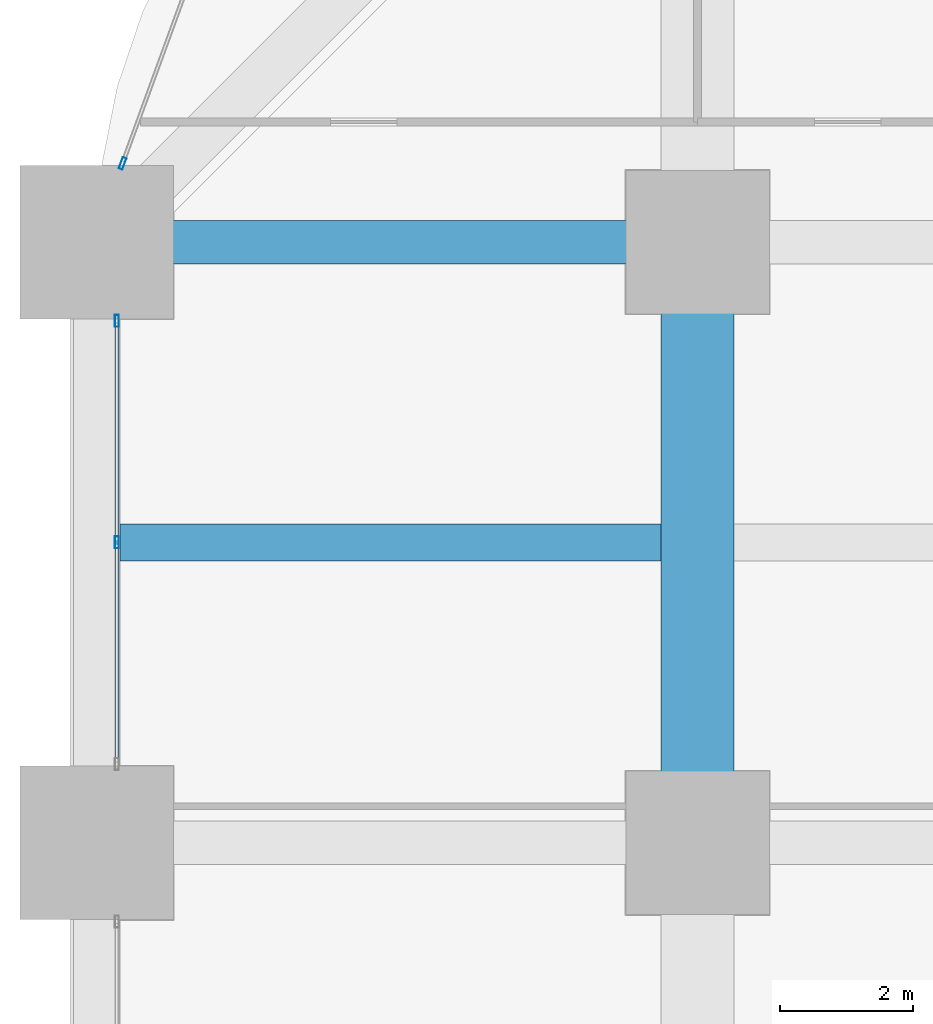
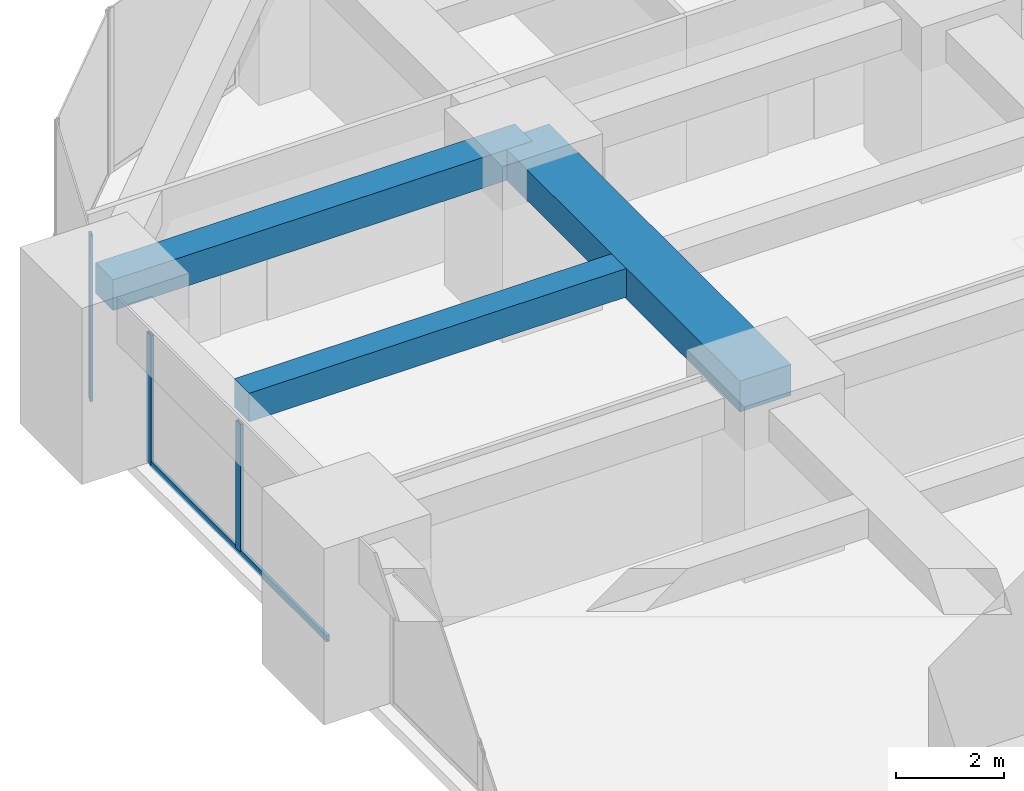
# One storey, part 25 of 44: 4 members, 3 beams, 2 elements without a shape of their own.
"""IFC4 building model written with IfcOpenShell, lengths in metres."""

from ifc_helpers import new_model, si_unit, direction, frame, origin, origin_2d, place, context, subcontext, project, spatial, rectangle, hollow_rectangle, extrude, material, material_profile, profile_set, type_object, element, aggregate, save


model = new_model("IFC4")

# Units and contexts
model_context = context("Model", 3, precision=1e-05, world=origin(), true_north=direction((0.0, 1.0)))
body_context = subcontext(model_context, "Body", "Model", "MODEL_VIEW")
ifc_project = project(units=[si_unit("LENGTHUNIT", "METRE"), si_unit("AREAUNIT", "SQUARE_METRE"), si_unit("VOLUMEUNIT", "CUBIC_METRE"), si_unit("PLANEANGLEUNIT", "RADIAN"), si_unit("MASSUNIT", "GRAM", prefix="KILO")], contexts=[model_context])

# Site, building, storey
site_placement = place(None, origin())
site = spatial("IfcSite", under=ifc_project, at=site_placement, CompositionType="ELEMENT")
building_placement = place(site_placement, origin())
building = spatial("IfcBuilding", under=site, at=building_placement, Name="Zorevar Civic Tower", CompositionType="ELEMENT")
storey_placement = place(building_placement, frame((0.0, 0.0, 59.800048828125)))
storey = spatial("IfcBuildingStorey", under=building, at=storey_placement, Name="L14", CompositionType="ELEMENT", Elevation=59.800048828125)

# Beams
ifc_material_1 = material(Name="Concrete C50/60", Category="concrete")
ifc_material_profile_1 = material_profile(ifc_material_1, rectangle(XDim=1.10009765625, YDim=0.699951171875, at=origin_2d()), Name="RC 1100x700")
ifc_profile_set_1 = profile_set([ifc_material_profile_1], Name="Concrete C50/60")
beam_type_1 = type_object("IfcBeamType", Name="Beam RC 1100x700", PredefinedType="BEAM", material=ifc_profile_set_1)
beam_1_placement = place(storey_placement, frame((9.0, 36.0, 3.39990234375), z_axis=(0.0, 1.0, 0.0), x_axis=(-1.0, 0.0, 0.0)))
element("IfcBeam", 1, at=beam_1_placement, inside=storey, type_object=beam_type_1, Name="Girder L15", PredefinedType="BEAM", context=body_context, shape_type="SweptSolid", body=[
    extrude(rectangle(XDim=1.10009765625, YDim=0.699951171875, at=origin_2d()), origin(), (0.0, 0.0, 1.0), 9.0),
])
ifc_material_2 = material(Name="Concrete C50/60", Category="concrete")
ifc_material_profile_2 = material_profile(ifc_material_2, rectangle(XDim=0.550048828125, YDim=0.64990234375, at=origin_2d()), Name="RC 550x650")
ifc_profile_set_2 = profile_set([ifc_material_profile_2], Name="Concrete C50/60")
beam_type_2 = type_object("IfcBeamType", Name="Beam RC 550x650", PredefinedType="BEAM", material=ifc_profile_set_2)
beam_2_placement = place(storey_placement, frame((0.35009765625, 40.5, 3.425048828125), z_axis=(1.0, 0.0, 0.0), x_axis=(0.0, 1.0, 0.0)))
element("IfcBeam", 2, at=beam_2_placement, inside=storey, type_object=beam_type_2, Name="Secondary beam L15", PredefinedType="BEAM", context=body_context, shape_type="SweptSolid", body=[
    extrude(rectangle(XDim=0.550048828125, YDim=0.64990234375, at=origin_2d()), origin(), (0.0, 0.0, 1.0), 8.099853515625),
])
ifc_material_3 = material(Name="Concrete C50/60", Category="concrete")
ifc_material_profile_3 = material_profile(ifc_material_3, rectangle(XDim=0.64990234375, YDim=0.699951171875, at=origin_2d()), Name="RC 650x700")
ifc_profile_set_3 = profile_set([ifc_material_profile_3], Name="Concrete C50/60")
beam_type_3 = type_object("IfcBeamType", Name="Beam RC 650x700", PredefinedType="BEAM", material=ifc_profile_set_3)
beam_3_placement = place(storey_placement, frame((0.0, 45.0, 3.39990234375), z_axis=(1.0, 0.0, 0.0), x_axis=(0.0, 1.0, 0.0)))
element("IfcBeam", 3, at=beam_3_placement, inside=storey, type_object=beam_type_3, Name="Girder L15", PredefinedType="BEAM", context=body_context, shape_type="SweptSolid", body=[
    extrude(rectangle(XDim=0.64990234375, YDim=0.699951171875, at=origin_2d()), origin(), (0.0, 0.0, 1.0), 9.0),
])

# Curtain wall, members
ifc_material_4 = material(Name="Dark grey solar-control glass in black aluminium frame", Category="aluminium")
curtain_wall_type = type_object("IfcCurtainWallType", Name="Curtain wall CW2 low zone", PredefinedType="NOTDEFINED", material=ifc_material_4)
curtain_wall_1_placement = place(storey_placement, origin())
curtain_wall_1 = element("IfcCurtainWall", 4, at=curtain_wall_1_placement, inside=storey, type_object=curtain_wall_type, Name="CW2 L14", PredefinedType="NOTDEFINED")
ifc_material_5 = material(Name="Aluminium, black anodised", Category="aluminium")
ifc_material_profile_4 = material_profile(ifc_material_5, hollow_rectangle(XDim=0.06005859375, YDim=0.179931640625, WallThickness=0.00390625, at=origin_2d()), Name="AL 180x60x4")
ifc_profile_set_4 = profile_set([ifc_material_profile_4], Name="Aluminium, black anodised")
member_type_1 = type_object("IfcMemberType", Name="CW2 mullion AL 180x60x4", PredefinedType="MULLION", material=ifc_profile_set_4)
member_1_placement = place(storey_placement, frame((0.300048828125, 40.5, 0.06005859375), z_axis=(0.0, 0.0, 1.0), x_axis=(-1.0, 0.0, 0.0)))
member_1 = element("IfcMember", 5, at=member_1_placement, type_object=member_type_1, Name="CW2 mullion 2", PredefinedType="MULLION", context=body_context, shape_type="SweptSolid", body=[
    extrude(hollow_rectangle(XDim=0.06005859375, YDim=0.179931640625, WallThickness=0.00390625, at=origin_2d()), origin(), (0.0, 0.0, 1.0), 2.889892578125),
])
member_2_placement = place(storey_placement, frame((0.300048828125, 43.820068359375, 0.0), z_axis=(0.0, 0.0, 1.0), x_axis=(-1.0, 0.0, 0.0)))
member_2 = element("IfcMember", 6, at=member_2_placement, type_object=member_type_1, Name="CW2 mullion 3", PredefinedType="MULLION", context=body_context, shape_type="SweptSolid", body=[
    extrude(hollow_rectangle(XDim=0.06005859375, YDim=0.179931640625, WallThickness=0.00390625, at=origin_2d()), origin(), (0.0, 0.0, 1.0), 2.949951171875),
])

# Curtain wall, member
curtain_wall_2_placement = place(storey_placement, origin())
curtain_wall_2 = element("IfcCurtainWall", 7, at=curtain_wall_2_placement, inside=storey, type_object=curtain_wall_type, Name="CW2 L14", PredefinedType="NOTDEFINED")
member_3_placement = place(storey_placement, frame((0.38671875, 46.17822265625, 0.0), z_axis=(0.0, 0.0, 1.0), x_axis=(0.939313345732, -0.343060400701, 0.0)))
member_3 = element("IfcMember", 8, at=member_3_placement, type_object=member_type_1, Name="CW2 mullion 2", PredefinedType="MULLION", context=body_context, shape_type="SweptSolid", body=[
    extrude(hollow_rectangle(XDim=0.06005859375, YDim=0.179931640625, WallThickness=0.00390625, at=origin_2d()), origin(), (0.0, 0.0, 1.0), 3.75),
])
aggregate(curtain_wall_2, [member_3])

# Member
ifc_material_6 = material(Name="Aluminium, black anodised", Category="aluminium")
ifc_material_profile_5 = material_profile(ifc_material_6, hollow_rectangle(XDim=0.06005859375, YDim=0.14990234375, WallThickness=0.00390625, at=origin_2d()), Name="AL 150x60x4")
ifc_profile_set_5 = profile_set([ifc_material_profile_5], Name="Aluminium, black anodised")
member_type_2 = type_object("IfcMemberType", Name="CW2 transom AL 150x60x4", PredefinedType="USERDEFINED", material=ifc_profile_set_5)
member_4_placement = place(storey_placement, frame((0.300048828125, 37.2099609375, 0.030029296875), z_axis=(0.0, 1.0, 0.0), x_axis=(-1.0, 0.0, 0.0)))
member_4 = element("IfcMember", 9, at=member_4_placement, type_object=member_type_2, Name="CW2 sill transom", ObjectType="TRANSOM", PredefinedType="USERDEFINED", context=body_context, shape_type="SweptSolid", body=[
    extrude(hollow_rectangle(XDim=0.06005859375, YDim=0.14990234375, WallThickness=0.00390625, at=origin_2d()), origin(), (0.0, 0.0, 1.0), 6.580078125),
])

aggregate(curtain_wall_1, [member_1, member_2, member_4])

save(model, "model.ifc")
